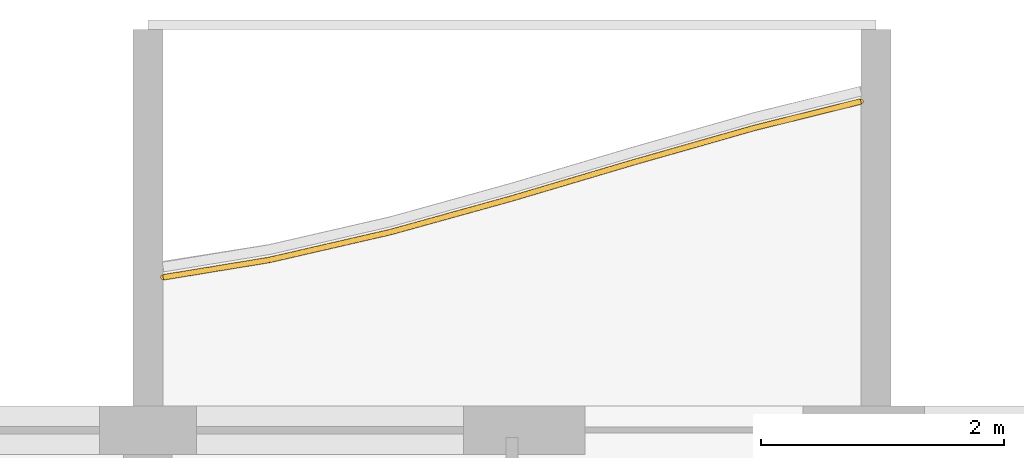
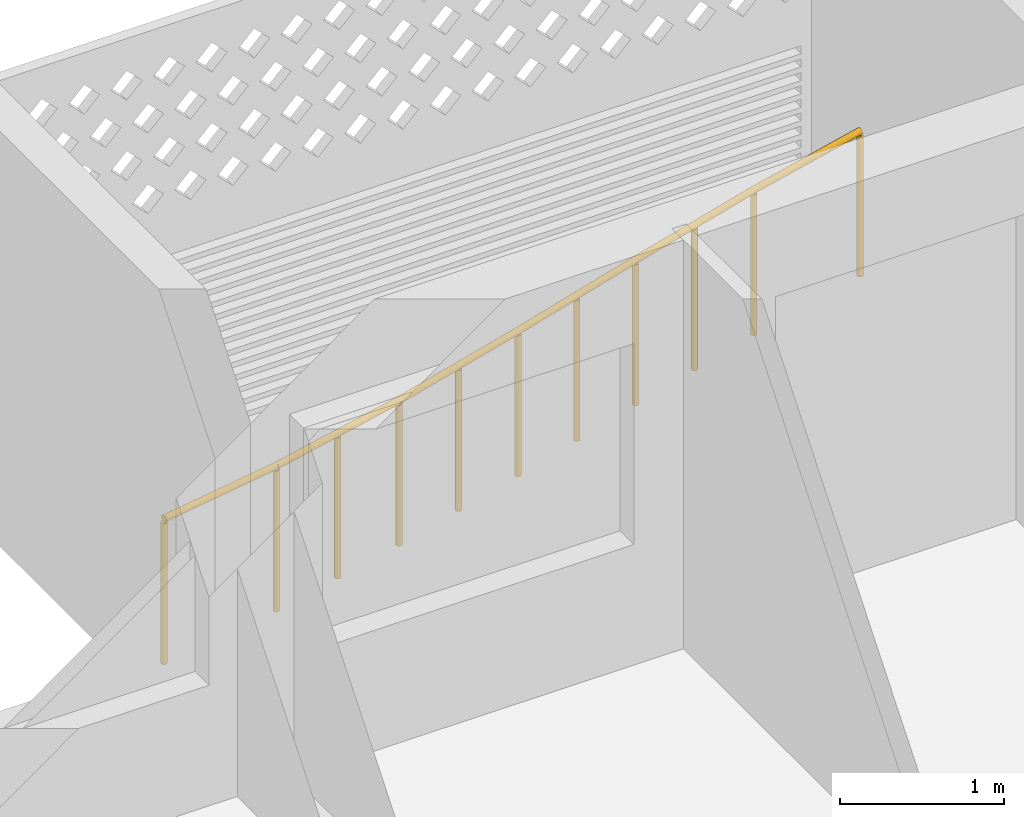
# One storey, part 24 of 40: 1 railing.
"""IFC4 building model written with IfcOpenShell, lengths in metres."""

import ifcopenshell
import ifcopenshell.guid

model = None  # the IFC model being written
_history = None  # IfcOwnerHistory: only IFC2X3 demands one
_inside = {}  # id of a spatial element -> (the spatial element, [elements in it])
_under = {}  # id of a project, library or spatial element -> (it, [spatial elements below it])
_declared = {}  # id of a project -> (the project, [libraries it declares])
_typed = {}  # id of a type object -> (the type object, [elements of that type])
_made_of = {}  # id of a material, layer set ... -> (it, [elements and type objects made of it])


def new_model(schema):
    """Start an empty IFC model of exactly this schema.

    Asked for "IFC4X3", IfcOpenShell would pick the latest addendum, in which some entities
    have other attributes; the version numbers below select the first issue.
    IFC2X3 requires an IfcOwnerHistory on every rooted entity: one is made here for all.
    """
    global model, _history
    if schema == "IFC4X3":
        model = ifcopenshell.file(schema_version=(4, 3, 0, 0))
    else:
        model = ifcopenshell.file(schema=schema)
    _inside.clear()
    _under.clear()
    _declared.clear()
    _typed.clear()
    _made_of.clear()
    _history = None
    if model.schema == "IFC2X3":
        org = make("IfcOrganization", Name="unknown")
        user = make(
            "IfcPersonAndOrganization",
            ThePerson=make("IfcPerson", FamilyName="unknown"),
            TheOrganization=org,
        )
        app = make(
            "IfcApplication",
            ApplicationDeveloper=org,
            Version="unknown",
            ApplicationFullName="unknown",
            ApplicationIdentifier="unknown",
        )
        _history = make(
            "IfcOwnerHistory",
            OwningUser=user,
            OwningApplication=app,
            ChangeAction="ADDED",
            CreationDate=0,
        )
    return model


def make(cls, **values):
    """One entity of the class cls with the attributes given. An attribute that is None is left unset."""
    return model.create_entity(
        cls, **{name: value for name, value in values.items() if value is not None}
    )


def rooted(cls, **values):
    """An entity with a GlobalId (a new one), such as an element, a storey or a relation."""
    return make(cls, GlobalId=ifcopenshell.guid.new(), OwnerHistory=_history, **values)


def si_unit(unit_type, name, prefix=None):
    """IfcSIUnit, for example si_unit("LENGTHUNIT", "METRE", prefix="MILLI")."""
    return make("IfcSIUnit", UnitType=unit_type, Prefix=prefix, Name=name)


def assignment(units):
    """IfcUnitAssignment: the units of a project."""
    return None if units is None else make("IfcUnitAssignment", Units=units)


def point(xyz):
    """IfcCartesianPoint."""
    return None if xyz is None else make("IfcCartesianPoint", Coordinates=xyz)


def direction(xyz):
    """IfcDirection."""
    return None if xyz is None else make("IfcDirection", DirectionRatios=xyz)


def frame(location, z_axis=None, x_axis=None):
    """IfcAxis2Placement3D, a coordinate frame: its origin and axes. An axis left out is left unset."""
    return make(
        "IfcAxis2Placement3D",
        Location=point(location),
        Axis=direction(z_axis),
        RefDirection=direction(x_axis),
    )


def frame_2d(location, x_axis=None):
    """IfcAxis2Placement2D, a coordinate frame in the plane: its origin and x axis."""
    return make(
        "IfcAxis2Placement2D", Location=point(location), RefDirection=direction(x_axis)
    )


def origin():
    """The frame at (0, 0, 0) with its axes left unset."""
    return frame((0.0, 0.0, 0.0))


def origin_2d():
    """The frame at (0, 0) in the plane with its x axis left unset."""
    return frame_2d((0.0, 0.0))


def place(relative_to, where):
    """IfcLocalPlacement: puts the frame where relative to a parent placement (None: the world)."""
    return make(
        "IfcLocalPlacement", PlacementRelTo=relative_to, RelativePlacement=where
    )


def context(
    kind, dimensions, precision=None, world=None, true_north=None, identifier=None
):
    """IfcGeometricRepresentationContext, for example the 3D "Model" context."""
    return make(
        "IfcGeometricRepresentationContext",
        ContextIdentifier=identifier,
        ContextType=kind,
        CoordinateSpaceDimension=dimensions,
        Precision=precision,
        WorldCoordinateSystem=world,
        TrueNorth=true_north,
    )


def subcontext(parent, identifier, kind, view, scale=None):
    """IfcGeometricRepresentationSubContext, for example "Body" below "Model"."""
    return make(
        "IfcGeometricRepresentationSubContext",
        ContextIdentifier=identifier,
        ContextType=kind,
        ParentContext=parent,
        TargetScale=scale,
        TargetView=view,
    )


def project(units=None, contexts=None):
    """IfcProject with its units and contexts."""
    return rooted(
        "IfcProject",
        Name="project",
        RepresentationContexts=contexts,
        UnitsInContext=assignment(units),
    )


def spatial(cls, under=None, at=None, **own):
    """A site, building, storey or space (cls), placed at a placement, below another one or the project."""
    s = rooted(cls, ObjectPlacement=at, **own)
    if under is not None:
        _under.setdefault(under.id(), (under, []))[1].append(s)
    return s


def profile(cls, at=None, kind="AREA", **sizes):
    """A parametric profile (cls). Its sizes go by their IFC names, for example OverallWidth=200.0."""
    return make(cls, ProfileType=kind, Position=at, **sizes)


def circle(**sizes):
    """IfcCircleProfileDef."""
    return profile("IfcCircleProfileDef", **sizes)


def extrude(swept, where, along, depth):
    """IfcExtrudedAreaSolid: the profile swept, set in the frame where, extruded along a direction by depth."""
    return make(
        "IfcExtrudedAreaSolid",
        SweptArea=swept,
        Position=where,
        ExtrudedDirection=direction(along),
        Depth=depth,
    )


def shape(context_of_items, identifier, shape_type, items):
    """IfcShapeRepresentation: the items that make up one representation, for example the "Body"."""
    return make(
        "IfcShapeRepresentation",
        ContextOfItems=context_of_items,
        RepresentationIdentifier=identifier,
        RepresentationType=shape_type,
        Items=items,
    )


def material(Name=None, Category=None):
    """IfcMaterial."""
    return make("IfcMaterial", Name=Name, Category=Category)


def made_of(thing, what):
    """Note that an element or type object is made of a material, layer set ...; save() writes the relation."""
    if what is not None:
        _made_of.setdefault(what.id(), (what, []))[1].append(thing)
    return thing


def type_object(cls, material=None, **own):
    """A type object (cls), such as IfcWallType, which elements share."""
    return made_of(rooted(cls, **own), material)


def element(
    cls,
    number,
    at=None,
    inside=None,
    cuts=None,
    type_object=None,
    material=None,
    context=None,
    identifier="Body",
    shape_type=None,
    held_by="IfcProductDefinitionShape",
    body=None,
    shapes=None,
    **own,
):
    """One element of the class cls, such as IfcWall. Its Tag is "e" and its number.

    at: its placement. inside: the storey or other place that contains it. cuts: it is an
    opening in that element (IfcRelVoidsElement). A single representation is given by context,
    identifier, shape_type and body (its items); several are given by shapes. held_by: the class
    of the entity that holds the representations. save() writes the other relations.
    """
    e = rooted(cls, Tag="e%d" % number, ObjectPlacement=at, **own)
    if body is not None:
        shapes = [shape(context, identifier, shape_type, body)]
    if shapes is not None:
        e.Representation = make(held_by, Representations=shapes)
    if inside is not None:
        _inside.setdefault(inside.id(), (inside, []))[1].append(e)
    if cuts is not None:
        rooted(
            "IfcRelVoidsElement", RelatingBuildingElement=cuts, RelatedOpeningElement=e
        )
    if type_object is not None:
        _typed.setdefault(type_object.id(), (type_object, []))[1].append(e)
    return made_of(e, material)


def aggregate(whole, parts):
    """IfcRelAggregates: a whole, such as a stair, and the parts it consists of."""
    return rooted("IfcRelAggregates", RelatingObject=whole, RelatedObjects=parts)


def save(model, path):
    """Write the relations noted so far, then the file.

    IfcRelAggregates (storeys below a building ...), IfcRelContainedInSpatialStructure (elements
    in a storey), IfcRelDefinesByType, IfcRelAssociatesMaterial and IfcRelDeclares: one each for
    every whole, place, type object, material and project.
    """
    for whole, parts in _under.values():
        aggregate(whole, parts)
    for where, things in _inside.values():
        rooted(
            "IfcRelContainedInSpatialStructure",
            RelatedElements=things,
            RelatingStructure=where,
        )
    for kind, things in _typed.values():
        rooted("IfcRelDefinesByType", RelatedObjects=things, RelatingType=kind)
    for what, things in _made_of.values():
        rooted("IfcRelAssociatesMaterial", RelatedObjects=things, RelatingMaterial=what)
    for by, libraries in _declared.values():
        rooted("IfcRelDeclares", RelatingContext=by, RelatedDefinitions=libraries)
    model.write(path)


model = new_model("IFC4")

# Units and contexts
model_context = context("Model", 3, precision=1e-05, world=origin(), true_north=direction((0.0, 1.0)))
body_context = subcontext(model_context, "Body", "Model", "MODEL_VIEW")
ifc_project = project(units=[si_unit("LENGTHUNIT", "METRE"), si_unit("AREAUNIT", "SQUARE_METRE"), si_unit("VOLUMEUNIT", "CUBIC_METRE"), si_unit("PLANEANGLEUNIT", "RADIAN"), si_unit("MASSUNIT", "GRAM", prefix="KILO")], contexts=[model_context])

# Site, building, storey
site_placement = place(None, origin())
site = spatial("IfcSite", under=ifc_project, at=site_placement, CompositionType="ELEMENT")
building_placement = place(site_placement, origin())
building = spatial("IfcBuilding", under=site, at=building_placement, Name="Poui Terraces", CompositionType="ELEMENT")
storey_placement = place(building_placement, frame((0.0, 0.0, 33.300048828125)))
storey = spatial("IfcBuildingStorey", under=building, at=storey_placement, Name="L08", CompositionType="ELEMENT", Elevation=33.300048828125)

# Railing
ifc_material = material(Name="Painted steel fretwork", Category="steel")
railing_type = type_object("IfcRailingType", Name="BALCONY GUARD 1100", PredefinedType="GUARDRAIL", material=ifc_material)
railing_placement = place(storey_placement, frame((24.125, 46.059326171875, 0.0)))
element("IfcRailing", 1, at=railing_placement, inside=storey, type_object=railing_type, Name="BALCONY GUARD", PredefinedType="GUARDRAIL", context=body_context, shape_type="SweptSolid", body=[
    extrude(circle(Radius=0.02392578125, at=origin_2d()), frame((0.0, 0.0, 1.076171875), z_axis=(0.986851434927, 0.16162996437, 0.0), x_axis=(-0.16162996437, 0.986851434927, 0.0)), (0.0, 0.0, 1.0), 0.88671875),
    extrude(circle(Radius=0.02392578125, at=origin_2d()), frame((0.875, 0.143310546875, 1.076171875), z_axis=(0.974559344395, 0.224129614849, 0.0), x_axis=(-0.224129614849, 0.974559344395, 0.0)), (0.0, 0.0, 1.0), 1.026123046875),
    extrude(circle(Radius=0.02392578125, at=origin_2d()), frame((1.875, 0.373291015625, 1.076171875), z_axis=(0.963625687064, 0.267255561647, 0.0), x_axis=(-0.267255561647, 0.963625687064, 0.0)), (0.0, 0.0, 1.0), 1.037841796875),
    extrude(circle(Radius=0.02392578125, at=origin_2d()), frame((2.875, 0.650634765625, 1.076171875), z_axis=(0.958710700624, 0.284383179018, 0.0), x_axis=(-0.284383179018, 0.958710700624, 0.0)), (0.0, 0.0, 1.0), 1.04296875),
    extrude(circle(Radius=0.02392578125, at=origin_2d()), frame((3.875, 0.947265625, 1.076171875), z_axis=(0.961727468954, 0.274007801823, 0.0), x_axis=(-0.274007801823, 0.961727468954, 0.0)), (0.0, 0.0, 1.0), 1.039794921875),
    extrude(circle(Radius=0.02392578125, at=origin_2d()), frame((4.875, 1.232177734375, 1.076171875), z_axis=(0.970650152273, 0.240495908264, 0.0), x_axis=(-0.240495908264, 0.970650152273, 0.0)), (0.0, 0.0, 1.0), 0.9013671875),
    extrude(circle(Radius=0.02099609375, at=origin_2d()), origin(), (0.0, 0.0, 1.0), 1.052001953125),
    extrude(circle(Radius=0.02099609375, at=origin_2d()), frame((0.875, 0.143310546875, 0.0)), (0.0, 0.0, 1.0), 1.052001953125),
    extrude(circle(Radius=0.02099609375, at=origin_2d()), frame((1.375, 0.25830078125, 0.0)), (0.0, 0.0, 1.0), 1.052001953125),
    extrude(circle(Radius=0.02099609375, at=origin_2d()), frame((1.875, 0.373291015625, 0.0)), (0.0, 0.0, 1.0), 1.052001953125),
    extrude(circle(Radius=0.02099609375, at=origin_2d()), frame((2.375, 0.511962890625, 0.0)), (0.0, 0.0, 1.0), 1.052001953125),
    extrude(circle(Radius=0.02099609375, at=origin_2d()), frame((2.875, 0.650634765625, 0.0)), (0.0, 0.0, 1.0), 1.052001953125),
    extrude(circle(Radius=0.02099609375, at=origin_2d()), frame((3.375, 0.798828125, 0.0)), (0.0, 0.0, 1.0), 1.052001953125),
    extrude(circle(Radius=0.02099609375, at=origin_2d()), frame((3.875, 0.947265625, 0.0)), (0.0, 0.0, 1.0), 1.052001953125),
    extrude(circle(Radius=0.02099609375, at=origin_2d()), frame((4.375, 1.08984375, 0.0)), (0.0, 0.0, 1.0), 1.052001953125),
    extrude(circle(Radius=0.02099609375, at=origin_2d()), frame((4.875, 1.232177734375, 0.0)), (0.0, 0.0, 1.0), 1.052001953125),
    extrude(circle(Radius=0.02099609375, at=origin_2d()), frame((5.75, 1.448974609375, 0.0)), (0.0, 0.0, 1.0), 1.052001953125),
])

save(model, "model.ifc")
